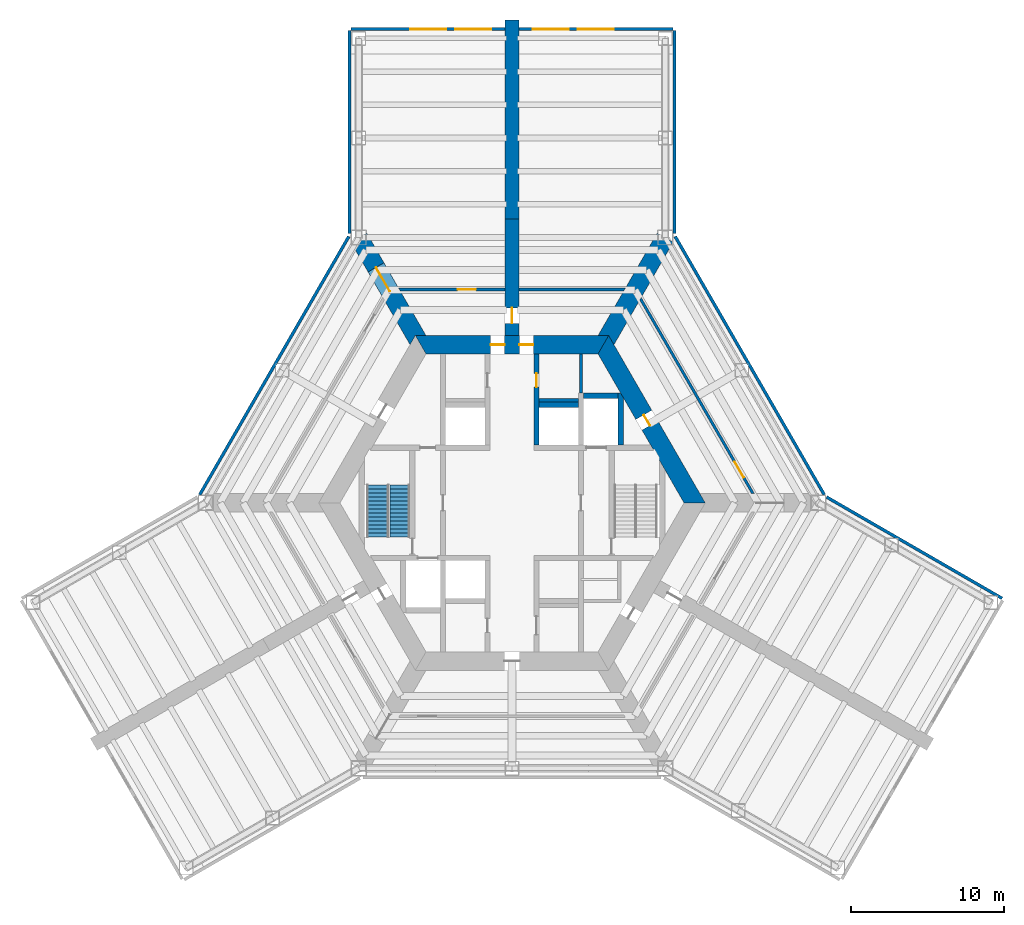
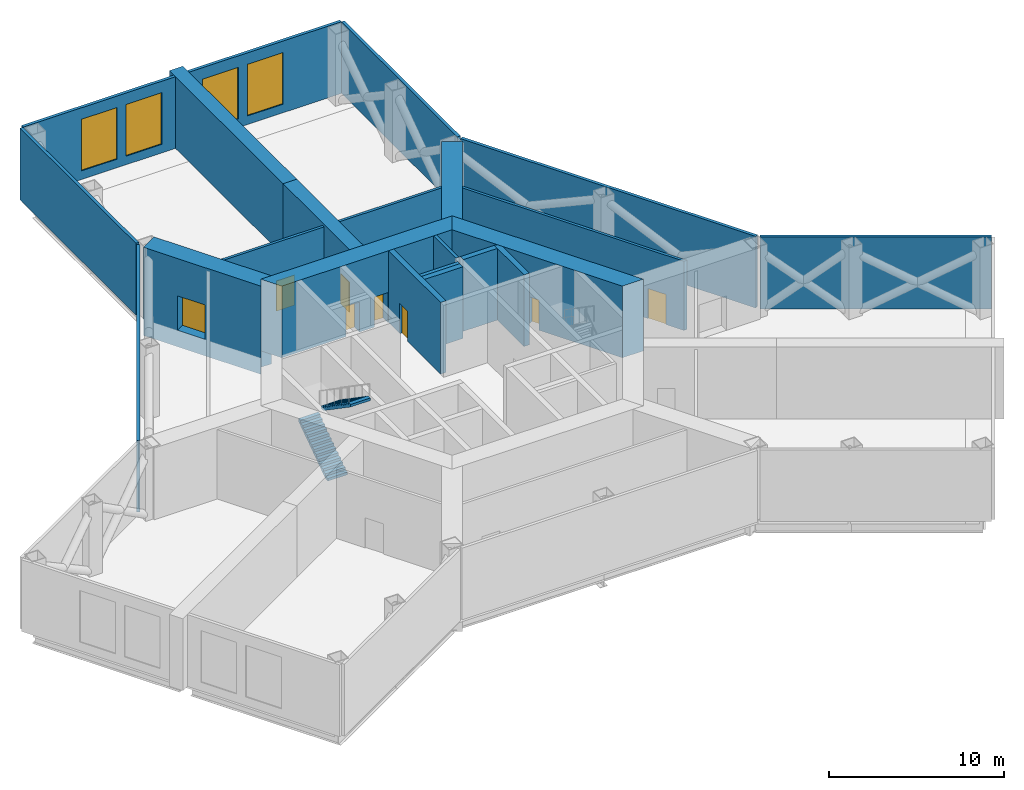
# One storey, part 6 of 8: 22 walls, 8 doors, 4 windows, 2 stair flights, 12 openings, 1 element without a shape of its own.
"""IFC4 building model written with IfcOpenShell, lengths in metres."""

from ifc_helpers import new_model, si_unit, direction, frame, frame_2d, origin, place, context, subcontext, project, spatial, polyline, rectangle, outline, extrude, material, layer, layer_set, type_object, element, fill, aggregate, save


model = new_model("IFC4")

# Units and contexts
model_context = context("Model", 3, precision=1e-05, world=origin(), true_north=direction((0.0, 1.0)))
body_context = subcontext(model_context, "Body", "Model", "MODEL_VIEW")
ifc_project = project(units=[si_unit("LENGTHUNIT", "METRE"), si_unit("AREAUNIT", "SQUARE_METRE"), si_unit("VOLUMEUNIT", "CUBIC_METRE"), si_unit("PLANEANGLEUNIT", "RADIAN"), si_unit("MASSUNIT", "GRAM", prefix="KILO")], contexts=[model_context])

# Site, building, storey
site_placement = place(None, origin())
site = spatial("IfcSite", under=ifc_project, at=site_placement, CompositionType="ELEMENT")
building_placement = place(site_placement, origin())
building = spatial("IfcBuilding", under=site, at=building_placement, Name="Kasaneha Research Tower", CompositionType="ELEMENT")
storey_placement = place(building_placement, frame((0.0, 0.0, 52.0)))
storey = spatial("IfcBuildingStorey", under=building, at=storey_placement, Name="L13", CompositionType="ELEMENT", Elevation=52.0)

# Wall, opening, door
ifc_material_1 = material(Name="Concrete Fc100", Category="concrete")
ifc_layer_1 = layer(ifc_material_1, 0.35009765625)
ifc_layer_set_1 = layer_set([ifc_layer_1], Name="Core internal wall 350 Fc100")
wall_type_1 = type_object("IfcWallType", Name="Core internal wall 350 Fc100", PredefinedType="SHEAR", material=ifc_layer_set_1)
wall_1_placement = place(storey_placement, frame((1.60009765625, 3.77490234375, 0.0), z_axis=(0.0, 0.0, 1.0), x_axis=(0.0, 1.0, 0.0)))
wall_1 = element("IfcWall", 1, at=wall_1_placement, inside=storey, type_object=wall_type_1, Name="Core wall CNE L13", PredefinedType="SHEAR", context=body_context, shape_type="SweptSolid", body=[
    extrude(rectangle(XDim=5.9501953125, YDim=0.35009765625, at=frame_2d((2.97509765625, 0.0))), origin(), (0.0, 0.0, 1.0), 5.0),
])
opening_1_placement = place(wall_1_placement, frame((3.77490234375, 0.0, 0.0)))
opening_1 = element("IfcOpeningElement", 2, at=opening_1_placement, cuts=wall_1, Name="Opening L13-D14", PredefinedType="OPENING", context=body_context, shape_type="SweptSolid", body=[
    extrude(rectangle(XDim=0.89990234375, YDim=2.10009765625, at=frame_2d((0.449951171875, 1.050048828125))), frame((0.0, 0.18505859375, 0.0), z_axis=(0.0, -1.0, 0.0), x_axis=(1.0, 0.0, 0.0)), (0.0, 0.0, 1.0), 0.3701171875),
])
ifc_material_2 = material(Name="Steel", Category="steel")
door_type_1 = type_object("IfcDoorType", Name="Toilet door FD20 900x2100", OperationType="NOTDEFINED", PredefinedType="DOOR", material=ifc_material_2)
door_1_placement = place(opening_1_placement, origin())
door_1 = element("IfcDoor", 3, at=door_1_placement, inside=storey, type_object=door_type_1, Name="Women's WC door L13-D14", OperationType="SINGLE_SWING_LEFT", OverallHeight=2.10009765625, OverallWidth=0.89990234375, PredefinedType="DOOR", context=body_context, shape_type="SweptSolid", body=[
    extrude(rectangle(XDim=0.89990234375, YDim=2.10009765625, at=frame_2d((0.449951171875, 1.050048828125))), frame((0.0, 0.02490234375, 0.0), z_axis=(0.0, -1.0, 0.0), x_axis=(1.0, 0.0, 0.0)), (0.0, 0.0, 1.0), 0.050048828125),
])
fill(opening_1, door_1)

# Walls
wall_2_placement = place(storey_placement, frame((1.77490234375, 6.39990234375, 0.0), z_axis=(0.0, 0.0, 1.0), x_axis=(1.0, 0.0, 0.0)))
element("IfcWall", 4, at=wall_2_placement, inside=storey, type_object=wall_type_1, Name="Core wall N3N L13", PredefinedType="SHEAR", context=body_context, shape_type="SweptSolid", body=[
    extrude(rectangle(XDim=2.550048828125, YDim=0.35009765625, at=frame_2d((1.27490234375, 0.0))), origin(), (0.0, 0.0, 1.0), 5.0),
])
wall_3_placement = place(storey_placement, frame((4.675048828125, 7.0, 0.0), z_axis=(0.0, 0.0, 1.0), x_axis=(1.0, 0.0, 0.0)))
element("IfcWall", 5, at=wall_3_placement, inside=storey, type_object=wall_type_1, Name="Core wall F1N L13", PredefinedType="SHEAR", context=body_context, shape_type="SweptSolid", body=[
    extrude(rectangle(XDim=2.25, YDim=0.35009765625, at=frame_2d((1.125, 0.0))), origin(), (0.0, 0.0, 1.0), 5.0),
])
wall_4_placement = place(storey_placement, frame((7.10009765625, 3.77490234375, 0.0), z_axis=(0.0, 0.0, 1.0), x_axis=(0.0, 1.0, 0.0)))
element("IfcWall", 6, at=wall_4_placement, inside=storey, type_object=wall_type_1, Name="Core wall F1E L13", PredefinedType="SHEAR", context=body_context, shape_type="SweptSolid", body=[
    extrude(outline(polyline([(0.0, -0.175048828125), (3.07421875, -0.175048828125), (3.37744140625, 0.0), (3.39990234375, 0.175048828125), (0.0, 0.175048828125), (0.0, -0.175048828125)])), origin(), (0.0, 0.0, 1.0), 5.0),
])

# Wall, opening, door
ifc_material_3 = material(Name="Concrete Fc100", Category="concrete")
ifc_layer_2 = layer(ifc_material_3, 1.199951171875)
ifc_layer_set_2 = layer_set([ifc_layer_2], Name="Core wall 1200 Fc100")
wall_type_2 = type_object("IfcWallType", Name="Core wall 1200 Fc100", PredefinedType="SHEAR", material=ifc_layer_set_2)
wall_5_placement = place(storey_placement, frame((11.92236328125, 0.0, 0.0), z_axis=(0.0, 0.0, 1.0), x_axis=(-0.500004296715, 0.866022923061, 0.0)))
wall_5 = element("IfcWall", 7, at=wall_5_placement, inside=storey, type_object=wall_type_2, Name="Core wall 030 L13", PredefinedType="SHEAR", context=body_context, shape_type="SweptSolid", body=[
    extrude(outline(polyline([(-0.346435546875, -0.60009765625), (5.83544921875, -0.60009765625), (6.635498046875, -0.60009765625), (12.268798828125, -0.60009765625), (11.575927734375, 0.60009765625), (6.635498046875, 0.60009765625), (5.83544921875, 0.60009765625), (0.346435546875, 0.60009765625), (-0.346435546875, -0.60009765625)])), origin(), (0.0, 0.0, 1.0), 5.0),
])
opening_2_placement = place(wall_5_placement, frame((5.83544921875, 0.0, 0.0)))
opening_2 = element("IfcOpeningElement", 8, at=opening_2_placement, cuts=wall_5, Name="Opening L13-D04", PredefinedType="OPENING", context=body_context, shape_type="SweptSolid", body=[
    extrude(rectangle(XDim=0.800048828125, YDim=2.10009765625, at=frame_2d((0.39990234375, 1.050048828125))), frame((0.0, 0.60986328125, 0.0), z_axis=(0.0, -1.0, 0.0), x_axis=(1.0, 0.0, 0.0)), (0.0, 0.0, 1.0), 1.219970703125),
])
ifc_material_4 = material(Name="Steel", Category="steel")
door_type_2 = type_object("IfcDoorType", Name="Riser access door FD60 800x2100", OperationType="NOTDEFINED", PredefinedType="DOOR", material=ifc_material_4)
door_2_placement = place(opening_2_placement, origin())
door_2 = element("IfcDoor", 9, at=door_2_placement, inside=storey, type_object=door_type_2, Name="Pipe riser door L13-D04", OperationType="SINGLE_SWING_RIGHT", OverallHeight=2.10009765625, OverallWidth=0.800048828125, PredefinedType="DOOR", context=body_context, shape_type="SweptSolid", body=[
    extrude(rectangle(XDim=0.800048828125, YDim=2.10009765625, at=frame_2d((0.39990234375, 1.050048828125))), frame((0.0, 0.02490234375, 0.0), z_axis=(0.0, -1.0, 0.0), x_axis=(1.0, 0.0, 0.0)), (0.0, 0.0, 1.0), 0.050048828125),
])
fill(opening_2, door_2)

# Wall, openings, doors
wall_6_placement = place(storey_placement, frame((5.961181640625, 10.324951171875, 0.0), z_axis=(0.0, 0.0, 1.0), x_axis=(-1.0, 0.0, 0.0)))
wall_6 = element("IfcWall", 10, at=wall_6_placement, inside=storey, type_object=wall_type_2, Name="Core wall 090 L13", PredefinedType="SHEAR", context=body_context, shape_type="SweptSolid", body=[
    extrude(outline(polyline([(-0.346435546875, -0.60009765625), (4.57373046875, -0.60009765625), (5.4736328125, -0.60009765625), (6.44873046875, -0.60009765625), (7.3486328125, -0.60009765625), (12.268798828125, -0.60009765625), (11.575927734375, 0.60009765625), (7.3486328125, 0.60009765625), (6.44873046875, 0.60009765625), (5.4736328125, 0.60009765625), (4.57373046875, 0.60009765625), (0.346435546875, 0.60009765625), (-0.346435546875, -0.60009765625)])), origin(), (0.0, 0.0, 1.0), 5.0),
])
opening_3_placement = place(wall_6_placement, frame((6.44873046875, 0.0, 0.0)))
opening_3 = element("IfcOpeningElement", 11, at=opening_3_placement, cuts=wall_6, Name="Opening L13-D01", PredefinedType="OPENING", context=body_context, shape_type="SweptSolid", body=[
    extrude(rectangle(XDim=0.89990234375, YDim=2.10009765625, at=frame_2d((0.449951171875, 1.050048828125))), frame((0.0, 0.60986328125, 0.0), z_axis=(0.0, -1.0, 0.0), x_axis=(1.0, 0.0, 0.0)), (0.0, 0.0, 1.0), 1.219970703125),
])
opening_4_placement = place(wall_6_placement, frame((4.57373046875, 0.0, 0.0)))
opening_4 = element("IfcOpeningElement", 12, at=opening_4_placement, cuts=wall_6, Name="Opening L13-D02", PredefinedType="OPENING", context=body_context, shape_type="SweptSolid", body=[
    extrude(rectangle(XDim=0.89990234375, YDim=2.10009765625, at=frame_2d((0.449951171875, 1.050048828125))), frame((0.0, 0.60986328125, 0.0), z_axis=(0.0, -1.0, 0.0), x_axis=(1.0, 0.0, 0.0)), (0.0, 0.0, 1.0), 1.219970703125),
])
door_3_placement = place(opening_3_placement, origin())
door_3 = element("IfcDoor", 13, at=door_3_placement, inside=storey, type_object=door_type_1, Name="Core door north 1 L13-D01", OperationType="SINGLE_SWING_RIGHT", OverallHeight=2.10009765625, OverallWidth=0.89990234375, PredefinedType="DOOR", context=body_context, shape_type="SweptSolid", body=[
    extrude(rectangle(XDim=0.89990234375, YDim=2.10009765625, at=frame_2d((0.449951171875, 1.050048828125))), frame((0.0, 0.02490234375, 0.0), z_axis=(0.0, -1.0, 0.0), x_axis=(1.0, 0.0, 0.0)), (0.0, 0.0, 1.0), 0.050048828125),
])
fill(opening_3, door_3)
door_4_placement = place(opening_4_placement, origin())
door_4 = element("IfcDoor", 14, at=door_4_placement, inside=storey, type_object=door_type_1, Name="Core door north 2 L13-D02", OperationType="SINGLE_SWING_LEFT", OverallHeight=2.10009765625, OverallWidth=0.89990234375, PredefinedType="DOOR", context=body_context, shape_type="SweptSolid", body=[
    extrude(rectangle(XDim=0.89990234375, YDim=2.10009765625, at=frame_2d((0.449951171875, 1.050048828125))), frame((0.0, 0.02490234375, 0.0), z_axis=(0.0, -1.0, 0.0), x_axis=(1.0, 0.0, 0.0)), (0.0, 0.0, 1.0), 0.050048828125),
])
fill(opening_4, door_4)

# Walls
ifc_material_5 = material(Name="Terracotta cladding on steel frame", Category="masonry")
ifc_layer_3 = layer(ifc_material_5, 0.199951171875)
ifc_layer_set_3 = layer_set([ifc_layer_3], Name="Louvred plant wall 200")
wall_type_3 = type_object("IfcWallType", Name="Louvred plant wall 200", PredefinedType="ELEMENTEDWALL", material=ifc_layer_set_3)
wall_7_placement = place(storey_placement, frame((31.991455078125, -6.23046875, 0.0), z_axis=(0.0, 0.0, 1.0), x_axis=(-0.86602620781, 0.499998607384, 0.0)))
element("IfcWall", 15, at=wall_7_placement, inside=storey, type_object=wall_type_3, Name="Louvred plant wall L13", PredefinedType="ELEMENTEDWALL", context=body_context, shape_type="SweptSolid", body=[
    extrude(rectangle(XDim=13.2392578125, YDim=0.199951171875, at=frame_2d((6.61962890625, 0.0))), origin(), (0.0, 0.0, 1.0), 5.0),
])
wall_8_placement = place(storey_placement, frame((20.38916015625, 0.52587890625, 0.0), z_axis=(0.0, 0.0, 1.0), x_axis=(-0.499999841607, 0.866025495233, 0.0)))
element("IfcWall", 16, at=wall_8_placement, inside=storey, type_object=wall_type_3, Name="Louvred plant wall L13", PredefinedType="ELEMENTEDWALL", context=body_context, shape_type="SweptSolid", body=[
    extrude(rectangle(XDim=19.478515625, YDim=0.199951171875, at=frame_2d((9.7392578125, 0.0))), origin(), (0.0, 0.0, 1.0), 5.0),
])
wall_9_placement = place(storey_placement, frame((10.60009765625, 17.581298828125, 0.0), z_axis=(0.0, 0.0, 1.0), x_axis=(0.0, 1.0, 0.0)))
element("IfcWall", 17, at=wall_9_placement, inside=storey, type_object=wall_type_3, Name="Louvred plant wall L13", PredefinedType="ELEMENTEDWALL", context=body_context, shape_type="SweptSolid", body=[
    extrude(rectangle(XDim=13.2392578125, YDim=0.199951171875, at=frame_2d((6.61962890625, 0.0))), origin(), (0.0, 0.0, 1.0), 5.0),
])

# Wall, openings, windows
wall_10_placement = place(storey_placement, frame((10.5, 30.92041015625, 0.0), z_axis=(0.0, 0.0, 1.0), x_axis=(-1.0, 0.0, 0.0)))
wall_10 = element("IfcWall", 18, at=wall_10_placement, inside=storey, type_object=wall_type_3, Name="Louvred plant wall L13", PredefinedType="ELEMENTEDWALL", context=body_context, shape_type="SweptSolid", body=[
    extrude(rectangle(XDim=10.050048828125, YDim=0.199951171875, at=frame_2d((5.02490234375, 0.0))), origin(), (0.0, 0.0, 1.0), 5.0),
])
opening_5_placement = place(wall_10_placement, frame((3.85009765625, 0.0, 0.60009765625)))
opening_5 = element("IfcOpeningElement", 19, at=opening_5_placement, cuts=wall_10, Name="Opening LV1", PredefinedType="OPENING", context=body_context, shape_type="SweptSolid", body=[
    extrude(rectangle(XDim=2.35009765625, YDim=3.60009765625, at=frame_2d((1.175048828125, 1.800048828125))), frame((0.0, 0.10986328125, 0.0), z_axis=(0.0, -1.0, 0.0), x_axis=(1.0, 0.0, 0.0)), (0.0, 0.0, 1.0), 0.219970703125),
])
opening_6_placement = place(wall_10_placement, frame((6.800048828125, 0.0, 0.60009765625)))
opening_6 = element("IfcOpeningElement", 20, at=opening_6_placement, cuts=wall_10, Name="Opening LV1", PredefinedType="OPENING", context=body_context, shape_type="SweptSolid", body=[
    extrude(rectangle(XDim=2.35009765625, YDim=3.60009765625, at=frame_2d((1.175048828125, 1.800048828125))), frame((0.0, 0.10986328125, 0.0), z_axis=(0.0, -1.0, 0.0), x_axis=(1.0, 0.0, 0.0)), (0.0, 0.0, 1.0), 0.219970703125),
])
ifc_material_6 = material(Name="Aluminium 6063-T6", Category="aluminium")
window_type = type_object("IfcWindowType", Name="Louvre 2350x3600", PartitioningType="SINGLE_PANEL", PredefinedType="USERDEFINED", material=ifc_material_6)
window_1_placement = place(opening_5_placement, origin())
window_1 = element("IfcWindow", 21, at=window_1_placement, inside=storey, type_object=window_type, Name="Plant louvre L13 2", ObjectType="LOUVRE", OverallHeight=3.60009765625, OverallWidth=2.35009765625, PartitioningType="SINGLE_PANEL", PredefinedType="USERDEFINED", context=body_context, shape_type="SweptSolid", body=[
    extrude(rectangle(XDim=2.35009765625, YDim=3.60009765625, at=frame_2d((1.175048828125, 1.800048828125))), frame((0.0, 0.030029296875, 0.0), z_axis=(0.0, -1.0, 0.0), x_axis=(1.0, 0.0, 0.0)), (0.0, 0.0, 1.0), 0.06005859375),
])
fill(opening_5, window_1)
window_2_placement = place(opening_6_placement, origin())
window_2 = element("IfcWindow", 22, at=window_2_placement, inside=storey, type_object=window_type, Name="Plant louvre L13 3", ObjectType="LOUVRE", OverallHeight=3.60009765625, OverallWidth=2.35009765625, PartitioningType="SINGLE_PANEL", PredefinedType="USERDEFINED", context=body_context, shape_type="SweptSolid", body=[
    extrude(rectangle(XDim=2.35009765625, YDim=3.60009765625, at=frame_2d((1.175048828125, 1.800048828125))), frame((0.0, 0.030029296875, 0.0), z_axis=(0.0, -1.0, 0.0), x_axis=(1.0, 0.0, 0.0)), (0.0, 0.0, 1.0), 0.06005859375),
])
fill(opening_6, window_2)

wall_11_placement = place(storey_placement, frame((-0.449951171875, 30.92041015625, 0.0), z_axis=(0.0, 0.0, 1.0), x_axis=(-1.0, 0.0, 0.0)))
wall_11 = element("IfcWall", 23, at=wall_11_placement, inside=storey, type_object=wall_type_3, Name="Louvred plant wall L13", PredefinedType="ELEMENTEDWALL", context=body_context, shape_type="SweptSolid", body=[
    extrude(rectangle(XDim=10.050048828125, YDim=0.199951171875, at=frame_2d((5.02490234375, 0.0))), origin(), (0.0, 0.0, 1.0), 5.0),
])
opening_7_placement = place(wall_11_placement, frame((0.89990234375, 0.0, 0.60009765625)))
opening_7 = element("IfcOpeningElement", 24, at=opening_7_placement, cuts=wall_11, Name="Opening LV1", PredefinedType="OPENING", context=body_context, shape_type="SweptSolid", body=[
    extrude(rectangle(XDim=2.35009765625, YDim=3.60009765625, at=frame_2d((1.175048828125, 1.800048828125))), frame((0.0, 0.10986328125, 0.0), z_axis=(0.0, -1.0, 0.0), x_axis=(1.0, 0.0, 0.0)), (0.0, 0.0, 1.0), 0.219970703125),
])
opening_8_placement = place(wall_11_placement, frame((3.85009765625, 0.0, 0.60009765625)))
opening_8 = element("IfcOpeningElement", 25, at=opening_8_placement, cuts=wall_11, Name="Opening LV1", PredefinedType="OPENING", context=body_context, shape_type="SweptSolid", body=[
    extrude(rectangle(XDim=2.35009765625, YDim=3.60009765625, at=frame_2d((1.175048828125, 1.800048828125))), frame((0.0, 0.10986328125, 0.0), z_axis=(0.0, -1.0, 0.0), x_axis=(1.0, 0.0, 0.0)), (0.0, 0.0, 1.0), 0.219970703125),
])
window_3_placement = place(opening_7_placement, origin())
window_3 = element("IfcWindow", 26, at=window_3_placement, inside=storey, type_object=window_type, Name="Plant louvre L13 1", ObjectType="LOUVRE", OverallHeight=3.60009765625, OverallWidth=2.35009765625, PartitioningType="SINGLE_PANEL", PredefinedType="USERDEFINED", context=body_context, shape_type="SweptSolid", body=[
    extrude(rectangle(XDim=2.35009765625, YDim=3.60009765625, at=frame_2d((1.175048828125, 1.800048828125))), frame((0.0, 0.030029296875, 0.0), z_axis=(0.0, -1.0, 0.0), x_axis=(1.0, 0.0, 0.0)), (0.0, 0.0, 1.0), 0.06005859375),
])
fill(opening_7, window_3)
window_4_placement = place(opening_8_placement, origin())
window_4 = element("IfcWindow", 27, at=window_4_placement, inside=storey, type_object=window_type, Name="Plant louvre L13 2", ObjectType="LOUVRE", OverallHeight=3.60009765625, OverallWidth=2.35009765625, PartitioningType="SINGLE_PANEL", PredefinedType="USERDEFINED", context=body_context, shape_type="SweptSolid", body=[
    extrude(rectangle(XDim=2.35009765625, YDim=3.60009765625, at=frame_2d((1.175048828125, 1.800048828125))), frame((0.0, 0.030029296875, 0.0), z_axis=(0.0, -1.0, 0.0), x_axis=(1.0, 0.0, 0.0)), (0.0, 0.0, 1.0), 0.06005859375),
])
fill(opening_8, window_4)

# Walls
wall_12_placement = place(storey_placement, frame((-10.60009765625, 30.820556640625, 0.0), z_axis=(0.0, 0.0, 1.0), x_axis=(0.0, -1.0, 0.0)))
element("IfcWall", 28, at=wall_12_placement, inside=storey, type_object=wall_type_3, Name="Louvred plant wall L13", PredefinedType="ELEMENTEDWALL", context=body_context, shape_type="SweptSolid", body=[
    extrude(rectangle(XDim=13.2392578125, YDim=0.199951171875, at=frame_2d((6.61962890625, 0.0))), origin(), (0.0, 0.0, 1.0), 5.0),
])
wall_13_placement = place(storey_placement, frame((-10.64990234375, 17.394775390625, 0.0), z_axis=(0.0, 0.0, 1.0), x_axis=(-0.499999841607, -0.866025495233, 0.0)))
element("IfcWall", 29, at=wall_13_placement, inside=storey, type_object=wall_type_3, Name="Louvred plant wall L13", PredefinedType="ELEMENTEDWALL", context=body_context, shape_type="SweptSolid", body=[
    extrude(rectangle(XDim=19.478515625, YDim=0.199951171875, at=frame_2d((9.7392578125, 0.0))), origin(), (0.0, 0.0, 1.0), 5.0),
])
ifc_material_7 = material(Name="Concrete Fc100", Category="concrete")
ifc_layer_4 = layer(ifc_material_7, 1.199951171875)
ifc_layer_set_4 = layer_set([ifc_layer_4], Name="Outrigger wall 1200 Fc100")
wall_type_4 = type_object("IfcWallType", Name="Outrigger wall 1200 Fc100", PredefinedType="SHEAR", material=ifc_layer_set_4)
wall_14_placement = place(storey_placement, frame((6.3076171875, 10.925048828125, -1.14990234375), z_axis=(0.0, 0.0, 1.0), x_axis=(0.499993363642, 0.866029235253, 0.0)))
element("IfcWall", 30, at=wall_14_placement, inside=storey, type_object=wall_type_4, Name="Outrigger wall 060 L13", PredefinedType="SHEAR", context=body_context, shape_type="SweptSolid", body=[
    extrude(outline(polyline([(-0.346435546875, -0.60009765625), (7.384765625, -0.60009765625), (7.384765625, 0.60009765625), (-0.346435546875, 0.60009765625), (0.0, 0.0), (-0.346435546875, -0.60009765625)])), origin(), (0.0, 0.0, 1.0), 6.14990234375),
])

# Wall, opening, door
wall_15_placement = place(storey_placement, frame((-6.3076171875, 10.925048828125, -1.14990234375), z_axis=(0.0, 0.0, 1.0), x_axis=(-0.499993363642, 0.866029235253, 0.0)))
wall_15 = element("IfcWall", 31, at=wall_15_placement, inside=storey, type_object=wall_type_4, Name="Outrigger wall 120 L13", PredefinedType="SHEAR", context=body_context, shape_type="SweptSolid", body=[
    extrude(outline(polyline([(-0.346435546875, -0.60009765625), (3.337646484375, -0.60009765625), (5.1376953125, -0.60009765625), (7.384765625, -0.60009765625), (7.384765625, 0.60009765625), (5.1376953125, 0.60009765625), (3.337646484375, 0.60009765625), (-0.346435546875, 0.60009765625), (0.0, 0.0), (-0.346435546875, -0.60009765625)])), origin(), (0.0, 0.0, 1.0), 6.14990234375),
])
opening_9_placement = place(wall_15_placement, frame((3.337646484375, 0.0, 1.14990234375)))
opening_9 = element("IfcOpeningElement", 32, at=opening_9_placement, cuts=wall_15, Name="Opening L13-D21", PredefinedType="OPENING", context=body_context, shape_type="SweptSolid", body=[
    extrude(rectangle(XDim=1.800048828125, YDim=2.39990234375, at=frame_2d((0.89990234375, 1.199951171875))), frame((0.0, 0.60986328125, 0.0), z_axis=(0.0, -1.0, 0.0), x_axis=(1.0, 0.0, 0.0)), (0.0, 0.0, 1.0), 1.219970703125),
])
ifc_material_8 = material(Name="Steel", Category="steel")
door_type_3 = type_object("IfcDoorType", Name="Plant room double door FD60 1800x2400", OperationType="DOUBLE_DOOR_SINGLE_SWING", PredefinedType="DOOR", material=ifc_material_8)
door_5_placement = place(opening_9_placement, origin())
door_5 = element("IfcDoor", 33, at=door_5_placement, inside=storey, type_object=door_type_3, Name="Plant room door L13-D21", OperationType="DOUBLE_DOOR_SINGLE_SWING", OverallHeight=2.39990234375, OverallWidth=1.800048828125, PredefinedType="DOOR", context=body_context, shape_type="SweptSolid", body=[
    extrude(rectangle(XDim=1.800048828125, YDim=2.39990234375, at=frame_2d((0.89990234375, 1.199951171875))), frame((0.0, 0.02490234375, 0.0), z_axis=(0.0, -1.0, 0.0), x_axis=(1.0, 0.0, 0.0)), (0.0, 0.0, 1.0), 0.050048828125),
])
fill(opening_9, door_5)

ifc_material_9 = material(Name="Gypsum board on steel studs, two layers each side", Category="steel")
ifc_layer_5 = layer(ifc_material_9, 0.175048828125)
ifc_layer_set_5 = layer_set([ifc_layer_5], Name="Refuge fire partition 175")
wall_type_5 = type_object("IfcWallType", Name="Refuge fire partition 175", PredefinedType="PARTITIONING", material=ifc_layer_set_5)
wall_16_placement = place(storey_placement, frame((15.732666015625, 0.60009765625, 0.0), z_axis=(0.0, 0.0, 1.0), x_axis=(-0.49999908555, 0.866025931742, 0.0)))
wall_16 = element("IfcWall", 34, at=wall_16_placement, inside=storey, type_object=wall_type_5, Name="Refuge fire partition RFAE01 L13", PredefinedType="PARTITIONING", context=body_context, shape_type="SweptSolid", body=[
    extrude(outline(polyline([(-0.050537109375, -0.08740234375), (1.212890625, -0.08740234375), (2.412841796875, -0.08740234375), (14.743896484375, -0.08740234375), (14.642822265625, 0.08740234375), (2.412841796875, 0.08740234375), (1.212890625, 0.08740234375), (0.050537109375, 0.08740234375), (-0.050537109375, -0.08740234375)])), origin(), (0.0, 0.0, 1.0), 4.830078125),
])
opening_10_placement = place(wall_16_placement, frame((1.212890625, 0.0, 0.0)))
opening_10 = element("IfcOpeningElement", 35, at=opening_10_placement, cuts=wall_16, Name="Opening L13-D23", PredefinedType="OPENING", context=body_context, shape_type="SweptSolid", body=[
    extrude(rectangle(XDim=1.199951171875, YDim=2.10009765625, at=frame_2d((0.60009765625, 1.050048828125))), frame((0.0, 0.09765625, 0.0), z_axis=(0.0, -1.0, 0.0), x_axis=(1.0, 0.0, 0.0)), (0.0, 0.0, 1.0), 0.195068359375),
])
ifc_material_10 = material(Name="Steel", Category="steel")
door_type_4 = type_object("IfcDoorType", Name="Laboratory door FD60 1200x2100", OperationType="DOUBLE_DOOR_SINGLE_SWING", PredefinedType="DOOR", material=ifc_material_10)
door_6_placement = place(opening_10_placement, origin())
door_6 = element("IfcDoor", 36, at=door_6_placement, inside=storey, type_object=door_type_4, Name="Plant room door L13-D23", OperationType="DOUBLE_DOOR_SINGLE_SWING", OverallHeight=2.10009765625, OverallWidth=1.199951171875, PredefinedType="DOOR", context=body_context, shape_type="SweptSolid", body=[
    extrude(rectangle(XDim=1.199951171875, YDim=2.10009765625, at=frame_2d((0.60009765625, 1.050048828125))), frame((0.0, 0.02490234375, 0.0), z_axis=(0.0, -1.0, 0.0), x_axis=(1.0, 0.0, 0.0)), (0.0, 0.0, 1.0), 0.050048828125),
])
fill(opening_10, door_6)

# Wall
wall_17_placement = place(storey_placement, frame((7.3466796875, 13.925048828125, 0.0), z_axis=(0.0, 0.0, 1.0), x_axis=(-1.0, 0.0, 0.0)))
element("IfcWall", 37, at=wall_17_placement, inside=storey, type_object=wall_type_5, Name="Refuge fire partition RFAE02 L13", PredefinedType="PARTITIONING", context=body_context, shape_type="SweptSolid", body=[
    extrude(outline(polyline([(-0.050537109375, -0.08740234375), (6.8916015625, -0.08740234375), (6.8916015625, 0.08740234375), (0.050537109375, 0.08740234375), (-0.050537109375, -0.08740234375)])), origin(), (0.0, 0.0, 1.0), 4.830078125),
])

# Wall, opening, door
wall_18_placement = place(storey_placement, frame((-0.455078125, 13.925048828125, 0.0), z_axis=(0.0, 0.0, 1.0), x_axis=(-1.0, 0.0, 0.0)))
wall_18 = element("IfcWall", 38, at=wall_18_placement, inside=storey, type_object=wall_type_5, Name="Refuge fire partition RFAW01 L13", PredefinedType="PARTITIONING", context=body_context, shape_type="SweptSolid", body=[
    extrude(outline(polyline([(0.0, -0.08740234375), (1.89990234375, -0.08740234375), (3.099853515625, -0.08740234375), (6.942138671875, -0.08740234375), (6.841064453125, 0.08740234375), (3.099853515625, 0.08740234375), (1.89990234375, 0.08740234375), (0.0, 0.08740234375), (0.0, -0.08740234375)])), origin(), (0.0, 0.0, 1.0), 4.830078125),
])
opening_11_placement = place(wall_18_placement, frame((1.89990234375, 0.0, 0.0)))
opening_11 = element("IfcOpeningElement", 39, at=opening_11_placement, cuts=wall_18, Name="Opening L13-D24", PredefinedType="OPENING", context=body_context, shape_type="SweptSolid", body=[
    extrude(rectangle(XDim=1.199951171875, YDim=2.10009765625, at=frame_2d((0.60009765625, 1.050048828125))), frame((0.0, 0.09765625, 0.0), z_axis=(0.0, -1.0, 0.0), x_axis=(1.0, 0.0, 0.0)), (0.0, 0.0, 1.0), 0.195068359375),
])
door_7_placement = place(opening_11_placement, origin())
door_7 = element("IfcDoor", 40, at=door_7_placement, inside=storey, type_object=door_type_4, Name="Plant room door L13-D24", OperationType="DOUBLE_DOOR_SINGLE_SWING", OverallHeight=2.10009765625, OverallWidth=1.199951171875, PredefinedType="DOOR", context=body_context, shape_type="SweptSolid", body=[
    extrude(rectangle(XDim=1.199951171875, YDim=2.10009765625, at=frame_2d((0.60009765625, 1.050048828125))), frame((0.0, 0.02490234375, 0.0), z_axis=(0.0, -1.0, 0.0), x_axis=(1.0, 0.0, 0.0)), (0.0, 0.0, 1.0), 0.050048828125),
])
fill(opening_11, door_7)

# Wall
ifc_material_11 = material(Name="Concrete block", Category="concrete")
ifc_layer_6 = layer(ifc_material_11, 0.199951171875)
ifc_layer_set_6 = layer_set([ifc_layer_6], Name="Riser enclosure wall 200")
wall_type_6 = type_object("IfcWallType", Name="Riser enclosure wall 200", PredefinedType="STANDARD", material=ifc_layer_set_6)
wall_19_placement = place(storey_placement, frame((4.5, 7.175048828125, 0.0), z_axis=(0.0, 0.0, 1.0), x_axis=(0.0, 1.0, 0.0)))
element("IfcWall", 41, at=wall_19_placement, inside=storey, type_object=wall_type_6, Name="Riser enclosure wall L13", PredefinedType="STANDARD", context=body_context, shape_type="SweptSolid", body=[
    extrude(rectangle(XDim=2.550048828125, YDim=0.199951171875, at=frame_2d((1.27490234375, 0.0))), origin(), (0.0, 0.0, 1.0), 5.0),
])

# Wall, opening, door
ifc_material_12 = material(Name="Concrete Fc100", Category="concrete")
ifc_layer_7 = layer(ifc_material_12, 0.89990234375)
ifc_layer_set_7 = layer_set([ifc_layer_7], Name="Spine wall 900 Fc100")
wall_type_7 = type_object("IfcWallType", Name="Spine wall 900 Fc100", PredefinedType="SHEAR", material=ifc_layer_set_7)
wall_20_placement = place(storey_placement, frame((0.0, 10.925048828125, 0.0), z_axis=(0.0, 0.0, 1.0), x_axis=(0.0, 1.0, 0.0)))
wall_20 = element("IfcWall", 42, at=wall_20_placement, inside=storey, type_object=wall_type_7, Name="Spine wall A L13", PredefinedType="SHEAR", context=body_context, shape_type="SweptSolid", body=[
    extrude(rectangle(XDim=7.595458984375, YDim=0.89990234375, at=frame_2d((3.7978515625, 0.0))), origin(), (0.0, 0.0, 1.0), 5.0),
])
opening_12_placement = place(wall_20_placement, frame((0.800048828125, 0.0, 0.0)))
opening_12 = element("IfcOpeningElement", 43, at=opening_12_placement, cuts=wall_20, Name="Opening L13-D17", PredefinedType="OPENING", context=body_context, shape_type="SweptSolid", body=[
    extrude(rectangle(XDim=1.0, YDim=2.10009765625, at=frame_2d((0.5, 1.050048828125))), frame((0.0, 0.4599609375, 0.0), z_axis=(0.0, -1.0, 0.0), x_axis=(1.0, 0.0, 0.0)), (0.0, 0.0, 1.0), 0.919921875),
])
ifc_material_13 = material(Name="Steel", Category="steel")
door_type_5 = type_object("IfcDoorType", Name="Specified fire door FD60 1000x2100", OperationType="NOTDEFINED", PredefinedType="DOOR", material=ifc_material_13)
door_8_placement = place(opening_12_placement, origin())
door_8 = element("IfcDoor", 44, at=door_8_placement, inside=storey, type_object=door_type_5, Name="Spine doorway A L13-D17", OperationType="SINGLE_SWING_LEFT", OverallHeight=2.10009765625, OverallWidth=1.0, PredefinedType="DOOR", context=body_context, shape_type="SweptSolid", body=[
    extrude(rectangle(XDim=1.0, YDim=2.10009765625, at=frame_2d((0.5, 1.050048828125))), frame((0.0, 0.02490234375, 0.0), z_axis=(0.0, -1.0, 0.0), x_axis=(1.0, 0.0, 0.0)), (0.0, 0.0, 1.0), 0.050048828125),
])
fill(opening_12, door_8)

# Walls
wall_21_placement = place(storey_placement, frame((0.0, 18.5205078125, 0.0), z_axis=(0.0, 0.0, 1.0), x_axis=(0.0, 1.0, 0.0)))
element("IfcWall", 45, at=wall_21_placement, inside=storey, type_object=wall_type_7, Name="Spine wall A wing L13", PredefinedType="SHEAR", context=body_context, shape_type="SweptSolid", body=[
    extrude(rectangle(XDim=13.0, YDim=0.89990234375, at=frame_2d((6.5, 0.0))), origin(), (0.0, 0.0, 1.0), 5.0),
])
ifc_material_14 = material(Name="Concrete block lining", Category="concrete")
ifc_layer_8 = layer(ifc_material_14, 0.25)
ifc_layer_set_8 = layer_set([ifc_layer_8], Name="WC plumbing wall 250")
wall_type_8 = type_object("IfcWallType", Name="WC plumbing wall 250", PredefinedType="PLUMBINGWALL", material=ifc_layer_set_8)
wall_22_placement = place(storey_placement, frame((1.77490234375, 6.699951171875, 0.0), z_axis=(0.0, 0.0, 1.0), x_axis=(1.0, 0.0, 0.0)))
element("IfcWall", 46, at=wall_22_placement, inside=storey, type_object=wall_type_8, Name="WC plumbing wall F L13", PredefinedType="PLUMBINGWALL", context=body_context, shape_type="SweptSolid", body=[
    extrude(rectangle(XDim=2.550048828125, YDim=0.25, at=frame_2d((1.27490234375, 0.0))), origin(), (0.0, 0.0, 1.0), 5.0),
])

# Stair, stair flights
ifc_material_15 = material(Name="Concrete Fc24", Category="concrete")
stair_type = type_object("IfcStairType", Name="Half-turn stair 28 risers", PredefinedType="HALF_TURN_STAIR", material=ifc_material_15)
stair_placement = place(storey_placement, origin())
stair = element("IfcStair", 47, at=stair_placement, inside=storey, type_object=stair_type, Name="Stair 2 L13", PredefinedType="HALF_TURN_STAIR")
ifc_material_16 = material(Name="Concrete Fc24", Category="concrete")
stair_flight_type = type_object("IfcStairFlightType", Name="Stair flight 14 risers 178.6", PredefinedType="STRAIGHT", material=ifc_material_16)
stair_flight_1_placement = place(storey_placement, frame((-8.824951171875, -2.22509765625, 0.0), z_axis=(0.0, 0.0, 1.0), x_axis=(0.0, 1.0, 0.0)))
stair_flight_1 = element("IfcStairFlight", 48, at=stair_flight_1_placement, type_object=stair_flight_type, Name="ST2-28R flight 1", NumberOfRisers=14, NumberOfTreads=13, PredefinedType="STRAIGHT", RiserHeight=0.178571429, TreadLength=0.26, context=body_context, shape_type="SweptSolid", body=[
    extrude(outline(polyline([(0.0, 0.0), (0.0, 0.178466796875), (0.260009765625, 0.178466796875), (0.260009765625, 0.357177734375), (0.52001953125, 0.357177734375), (0.52001953125, 0.53564453125), (0.780029296875, 0.53564453125), (0.780029296875, 0.71435546875), (1.0400390625, 0.71435546875), (1.0400390625, 0.892822265625), (1.300048828125, 0.892822265625), (1.300048828125, 1.071533203125), (1.56005859375, 1.071533203125), (1.56005859375, 1.25), (1.820068359375, 1.25), (1.820068359375, 1.428466796875), (2.080078125, 1.428466796875), (2.080078125, 1.607177734375), (2.340087890625, 1.607177734375), (2.340087890625, 1.78564453125), (2.60009765625, 1.78564453125), (2.60009765625, 1.96435546875), (2.860107421875, 1.96435546875), (2.860107421875, 2.142822265625), (3.1201171875, 2.142822265625), (3.1201171875, 2.321533203125), (3.3798828125, 2.321533203125), (3.3798828125, 2.5), (3.3798828125, 2.1396484375), (0.264892578125, 0.0), (0.0, 0.0)])), frame((0.0, 0.64990234375, 0.0), z_axis=(0.0, -1.0, 0.0), x_axis=(1.0, 0.0, 0.0)), (0.0, 0.0, 1.0), 1.300048828125),
])
stair_flight_2_placement = place(storey_placement, frame((-7.324951171875, 1.155029296875, 2.5), z_axis=(0.0, 0.0, 1.0), x_axis=(0.0, -1.0, 0.0)))
stair_flight_2 = element("IfcStairFlight", 49, at=stair_flight_2_placement, type_object=stair_flight_type, Name="ST2-28R flight 2", NumberOfRisers=14, NumberOfTreads=13, PredefinedType="STRAIGHT", RiserHeight=0.178571429, TreadLength=0.26, context=body_context, shape_type="SweptSolid", body=[
    extrude(outline(polyline([(0.0, 0.0), (0.0, 0.178466796875), (0.260009765625, 0.178466796875), (0.260009765625, 0.357177734375), (0.52001953125, 0.357177734375), (0.52001953125, 0.53564453125), (0.780029296875, 0.53564453125), (0.780029296875, 0.71435546875), (1.0400390625, 0.71435546875), (1.0400390625, 0.892822265625), (1.300048828125, 0.892822265625), (1.300048828125, 1.071533203125), (1.56005859375, 1.071533203125), (1.56005859375, 1.25), (1.820068359375, 1.25), (1.820068359375, 1.428466796875), (2.080078125, 1.428466796875), (2.080078125, 1.607177734375), (2.340087890625, 1.607177734375), (2.340087890625, 1.78564453125), (2.60009765625, 1.78564453125), (2.60009765625, 1.96435546875), (2.860107421875, 1.96435546875), (2.860107421875, 2.142822265625), (3.1201171875, 2.142822265625), (3.1201171875, 2.321533203125), (3.3798828125, 2.321533203125), (3.3798828125, 2.5), (3.3798828125, 2.1396484375), (0.264892578125, 0.0), (0.0, 0.0)])), frame((0.0, 0.64990234375, 0.0), z_axis=(0.0, -1.0, 0.0), x_axis=(1.0, 0.0, 0.0)), (0.0, 0.0, 1.0), 1.300048828125),
])
aggregate(stair, [stair_flight_1, stair_flight_2])

save(model, "model.ifc")
